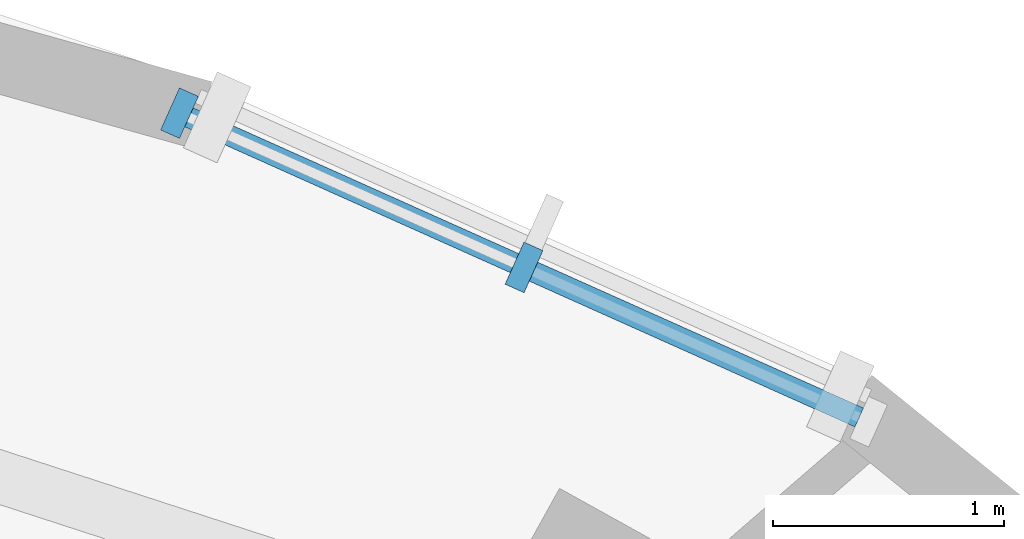
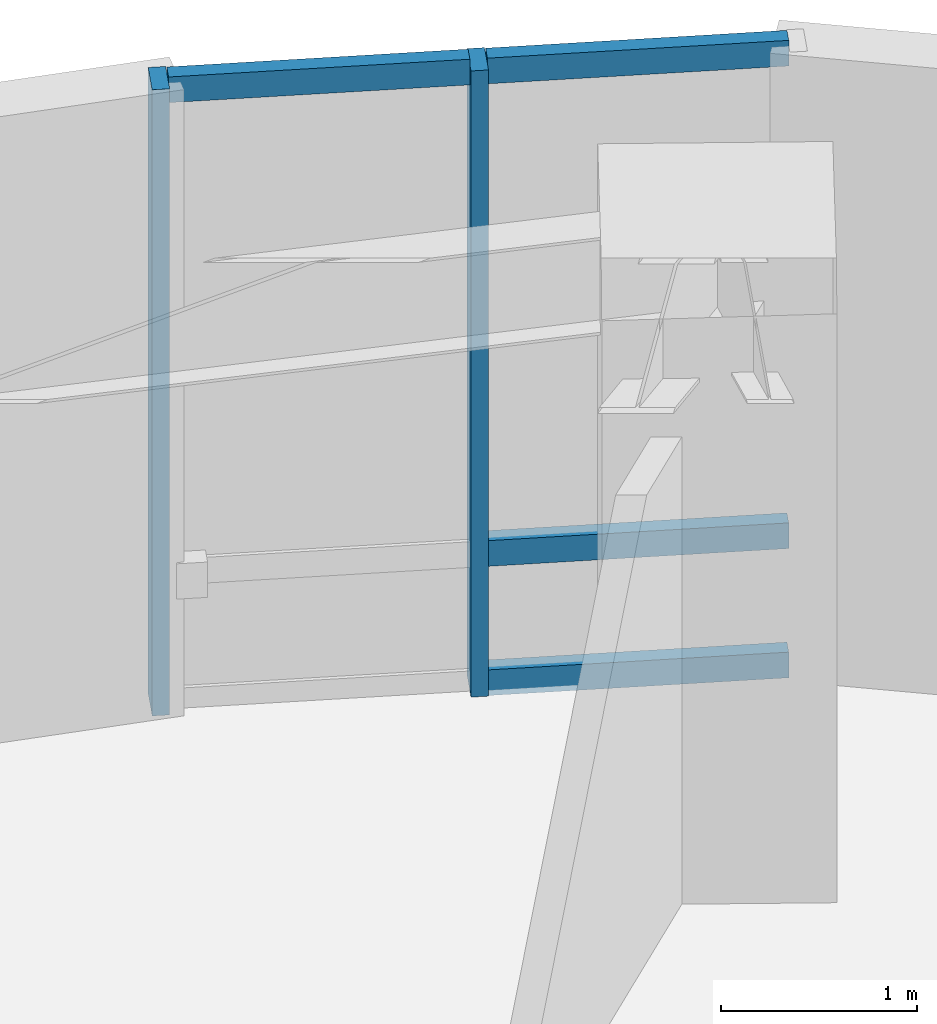
# One storey, part 5 of 13: 6 members, 1 element without a shape of its own.
"""IFC4 building model written with IfcOpenShell, lengths in metres."""

from ifc_helpers import new_model, si_unit, direction, frame, origin, origin_2d, place, context, subcontext, project, spatial, rectangle, extrude, material, layer, layer_set, material_profile, profile_set, type_object, element, aggregate, save


model = new_model("IFC4")

# Units and contexts
model_context = context("Model", 3, precision=1e-05, world=origin(), true_north=direction((0.0, 1.0)))
body_context = subcontext(model_context, "Body", "Model", "MODEL_VIEW")
ifc_project = project(units=[si_unit("LENGTHUNIT", "METRE"), si_unit("AREAUNIT", "SQUARE_METRE"), si_unit("VOLUMEUNIT", "CUBIC_METRE"), si_unit("PLANEANGLEUNIT", "RADIAN"), si_unit("MASSUNIT", "GRAM", prefix="KILO")], contexts=[model_context])

# Site, building, storey
site_placement = place(None, origin())
site = spatial("IfcSite", under=ifc_project, at=site_placement, CompositionType="ELEMENT")
building_placement = place(site_placement, origin())
building = spatial("IfcBuilding", under=site, at=building_placement, Name="Korentha Bioscience Tower", CompositionType="ELEMENT")
storey_placement = place(building_placement, frame((0.0, 0.0, 106.800048828125)))
storey = spatial("IfcBuildingStorey", under=building, at=storey_placement, Name="L24", CompositionType="ELEMENT", Elevation=106.800048828125)

# Curtain wall, members
ifc_material_1 = material(Name="Thermally Broken Aluminium Frame", Category="aluminium")
ifc_layer = layer(ifc_material_1, 0.219970703125, Name="Thermally Broken Aluminium Frame")
ifc_layer_set = layer_set([ifc_layer], Name="Thermally Broken Aluminium Frame (CW-T2)")
curtain_wall_type = type_object("IfcCurtainWallType", Name="Solar-Screened Lab Unitised Curtain Wall CW-T2", PredefinedType="USERDEFINED", material=ifc_layer_set)
curtain_wall_placement = place(storey_placement, origin())
curtain_wall = element("IfcCurtainWall", 1, at=curtain_wall_placement, inside=storey, type_object=curtain_wall_type, Name="L24 Curtain Wall 01", ObjectType="UNITISED", PredefinedType="USERDEFINED")
ifc_material_2 = material(Name="Anodised Aluminium 6063-T6", Category="aluminium")
ifc_material_profile_1 = material_profile(ifc_material_2, rectangle(XDim=0.090087890625, YDim=0.199951171875, at=origin_2d()), Name="Anodised Aluminium 6063-T6")
ifc_profile_set_1 = profile_set([ifc_material_profile_1], Name="Anodised Aluminium 6063-T6 (CW-MUL)")
member_type_1 = type_object("IfcMemberType", Name="Mullion RECT 90x200", PredefinedType="MULLION", material=ifc_profile_set_1)
member_1_placement = place(storey_placement, frame((48.871337890625, 45.72021484375, 0.0), z_axis=(0.0, 0.0, 1.0), x_axis=(-0.912686563127, 0.408660295952, 0.0)))
member_1 = element("IfcMember", 2, at=member_1_placement, type_object=member_type_1, Name="CW-L24-01 Mullion 2", PredefinedType="MULLION", context=body_context, shape_type="SweptSolid", body=[
    extrude(rectangle(XDim=0.090087890625, YDim=0.199951171875, at=origin_2d()), origin(), (0.0, 0.0, 1.0), 3.89990234375),
])
member_2_placement = place(storey_placement, frame((47.37890625, 46.388427734375, 0.0), z_axis=(0.0, 0.0, 1.0), x_axis=(-0.912686563127, 0.408660295952, 0.0)))
member_2 = element("IfcMember", 3, at=member_2_placement, type_object=member_type_1, Name="CW-L24-01 Mullion 3", PredefinedType="MULLION", context=body_context, shape_type="SweptSolid", body=[
    extrude(rectangle(XDim=0.090087890625, YDim=0.199951171875, at=origin_2d()), origin(), (0.0, 0.0, 1.0), 3.89990234375),
])
ifc_material_profile_2 = material_profile(ifc_material_2, rectangle(XDim=0.090087890625, YDim=0.159912109375, at=origin_2d()), Name="Anodised Aluminium 6063-T6")
ifc_profile_set_2 = profile_set([ifc_material_profile_2], Name="Anodised Aluminium 6063-T6 (CW-TRN)")
member_type_2 = type_object("IfcMemberType", Name="Transom RECT 90x160", PredefinedType="USERDEFINED", material=ifc_profile_set_2)
member_3_placement = place(storey_placement, frame((50.322998046875, 45.0703125, 0.044921875), z_axis=(-0.912753156119, 0.408511537162, 0.0), x_axis=(-0.408511537162, -0.912753156119, 0.0)))
member_3 = element("IfcMember", 4, at=member_3_placement, type_object=member_type_2, Name="CW-L24-01 Bay 1 Transom 1", ObjectType="TRANSOM", PredefinedType="USERDEFINED", context=body_context, shape_type="SweptSolid", body=[
    extrude(rectangle(XDim=0.090087890625, YDim=0.159912109375, at=origin_2d()), origin(), (0.0, 0.0, 1.0), 1.54541015625),
])
member_4_placement = place(storey_placement, frame((50.322998046875, 45.0703125, 0.849853515625), z_axis=(-0.912753156119, 0.408511537162, 0.0), x_axis=(-0.408511537162, -0.912753156119, 0.0)))
member_4 = element("IfcMember", 5, at=member_4_placement, type_object=member_type_2, Name="CW-L24-01 Bay 1 Transom 2", ObjectType="TRANSOM", PredefinedType="USERDEFINED", context=body_context, shape_type="SweptSolid", body=[
    extrude(rectangle(XDim=0.090087890625, YDim=0.159912109375, at=origin_2d()), origin(), (0.0, 0.0, 1.0), 1.54541015625),
])
member_5_placement = place(storey_placement, frame((50.322998046875, 45.0703125, 3.85498046875), z_axis=(-0.912753156119, 0.408511537162, 0.0), x_axis=(-0.408511537162, -0.912753156119, 0.0)))
member_5 = element("IfcMember", 6, at=member_5_placement, type_object=member_type_2, Name="CW-L24-01 Bay 1 Transom 3", ObjectType="TRANSOM", PredefinedType="USERDEFINED", context=body_context, shape_type="SweptSolid", body=[
    extrude(rectangle(XDim=0.090087890625, YDim=0.159912109375, at=origin_2d()), origin(), (0.0, 0.0, 1.0), 1.54541015625),
])
member_6_placement = place(storey_placement, frame((48.830322265625, 45.738525390625, 3.85498046875), z_axis=(-0.912667864607, 0.408702053962, 0.0), x_axis=(-0.408702053962, -0.912667864607, 0.0)))
member_6 = element("IfcMember", 7, at=member_6_placement, type_object=member_type_2, Name="CW-L24-01 Bay 2 Transom 3", ObjectType="TRANSOM", PredefinedType="USERDEFINED", context=body_context, shape_type="SweptSolid", body=[
    extrude(rectangle(XDim=0.090087890625, YDim=0.159912109375, at=origin_2d()), origin(), (0.0, 0.0, 1.0), 1.54541015625),
])
aggregate(curtain_wall, [member_1, member_2, member_3, member_4, member_5, member_6])

save(model, "model.ifc")
